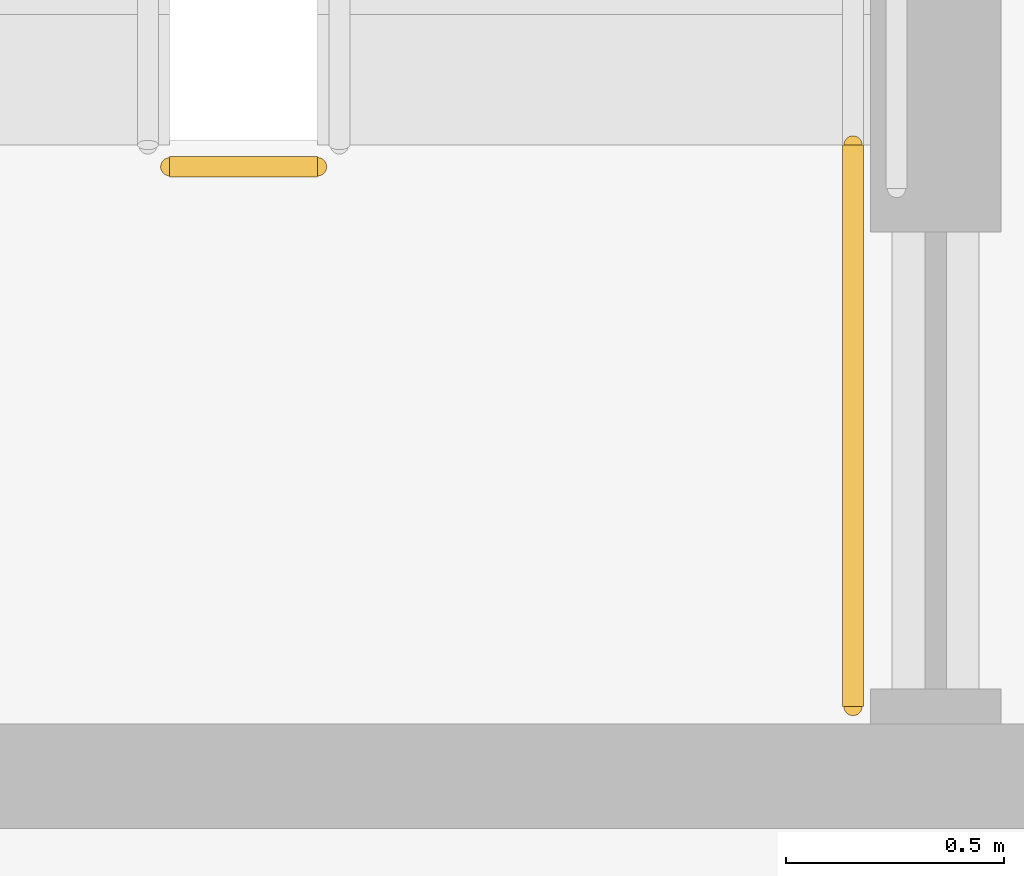
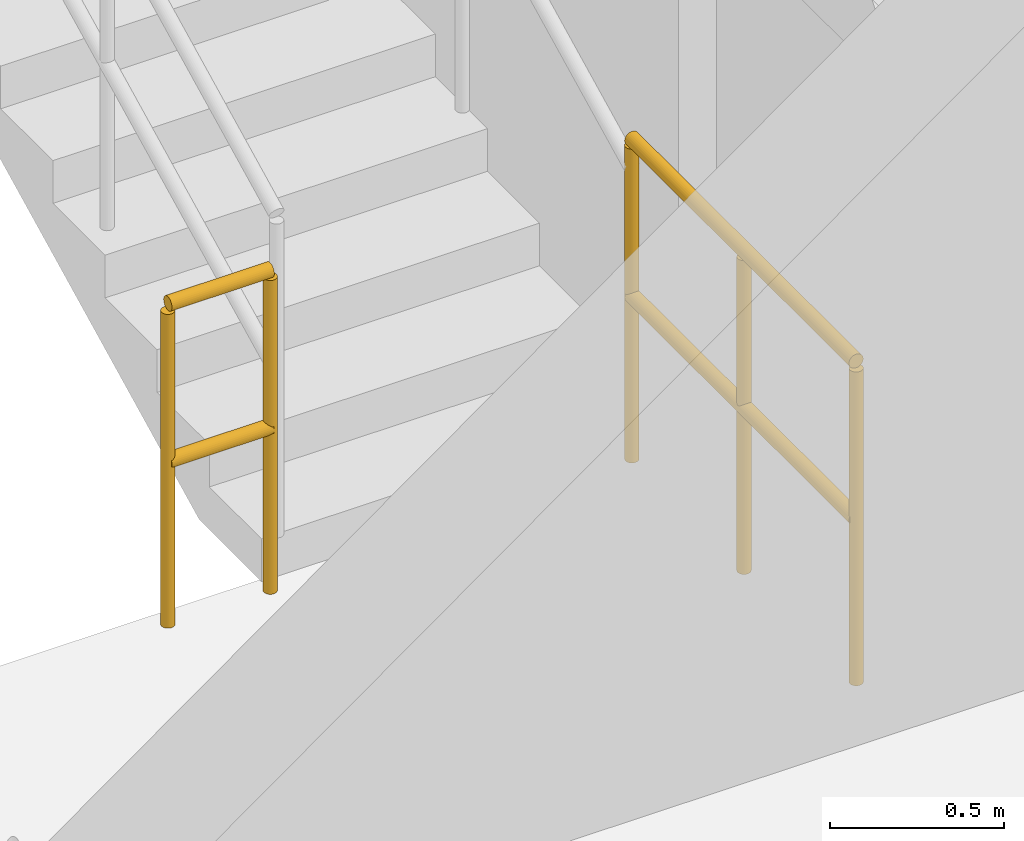
# One storey, part 74 of 78: 2 railings.
"""IFC4 building model written with IfcOpenShell, lengths in metres."""

from ifc_helpers import new_model, si_unit, direction, frame, origin, origin_2d, place, context, subcontext, project, spatial, circle, extrude, material, type_object, element, save


model = new_model("IFC4")

# Units and contexts
model_context = context("Model", 3, precision=1e-05, world=origin(), true_north=direction((0.0, 1.0)))
body_context = subcontext(model_context, "Body", "Model", "MODEL_VIEW")
ifc_project = project(units=[si_unit("LENGTHUNIT", "METRE"), si_unit("AREAUNIT", "SQUARE_METRE"), si_unit("VOLUMEUNIT", "CUBIC_METRE"), si_unit("PLANEANGLEUNIT", "RADIAN"), si_unit("MASSUNIT", "GRAM", prefix="KILO")], contexts=[model_context])

# Site, building, storey
site_placement = place(None, origin())
site = spatial("IfcSite", under=ifc_project, at=site_placement, CompositionType="ELEMENT")
building_placement = place(site_placement, origin())
building = spatial("IfcBuilding", under=site, at=building_placement, Name="Haebicheon Civic Stadium", CompositionType="ELEMENT")
storey_placement = place(building_placement, frame((0.0, 0.0, 18.60009765625)))
storey = spatial("IfcBuildingStorey", under=building, at=storey_placement, Name="L05", CompositionType="ELEMENT", Elevation=18.60009765625)

# Railings
ifc_material = material(Name="Galvanised painted steel SM355", Category="steel")
railing_type = type_object("IfcRailingType", Name="RL-GRD-1150", PredefinedType="GUARDRAIL", material=ifc_material)
railing_1_placement = place(storey_placement, frame((146.4599609375, 65.39990234375, 0.0)))
element("IfcRailing", 1, at=railing_1_placement, inside=storey, type_object=railing_type, material=ifc_material, Name="L05 ST-10 stair guard 7", PredefinedType="GUARDRAIL", context=body_context, shape_type="SweptSolid", body=[
    extrude(circle(Radius=0.02392578125, at=origin_2d()), frame((0.0, 0.0, 1.1259765625), z_axis=(-1.0, 0.0, 0.0), x_axis=(0.0, -1.0, 0.0)), (0.0, 0.0, 1.0), 0.33984375),
    extrude(circle(Radius=0.02392578125, at=origin_2d()), frame((0.0, 0.0, 0.574951171875), z_axis=(-1.0, 0.0, 0.0), x_axis=(0.0, -1.0, 0.0)), (0.0, 0.0, 1.0), 0.33984375),
    extrude(circle(Radius=0.02099609375, at=origin_2d()), origin(), (0.0, 0.0, 1.0), 1.101806640625),
    extrude(circle(Radius=0.02099609375, at=origin_2d()), frame((-0.33984375, 0.0, 0.0)), (0.0, 0.0, 1.0), 1.101806640625),
])
railing_2_placement = place(storey_placement, frame((147.68994140625, 64.159912109375, 0.0)))
element("IfcRailing", 2, at=railing_2_placement, inside=storey, type_object=railing_type, material=ifc_material, Name="L05 ST-10 stair guard 8", PredefinedType="GUARDRAIL", context=body_context, shape_type="SweptSolid", body=[
    extrude(circle(Radius=0.02392578125, at=origin_2d()), frame((0.0, 0.0, 1.1259765625), z_axis=(0.0, 1.0, 0.0), x_axis=(-1.0, 0.0, 0.0)), (0.0, 0.0, 1.0), 1.2900390625),
    extrude(circle(Radius=0.02392578125, at=origin_2d()), frame((0.0, 0.0, 0.574951171875), z_axis=(0.0, 1.0, 0.0), x_axis=(-1.0, 0.0, 0.0)), (0.0, 0.0, 1.0), 1.2900390625),
    extrude(circle(Radius=0.02099609375, at=origin_2d()), origin(), (0.0, 0.0, 1.0), 1.101806640625),
    extrude(circle(Radius=0.02099609375, at=origin_2d()), frame((0.0, 0.64501953125, 0.0)), (0.0, 0.0, 1.0), 1.101806640625),
    extrude(circle(Radius=0.02099609375, at=origin_2d()), frame((0.0, 1.2900390625, 0.0)), (0.0, 0.0, 1.0), 1.101806640625),
])

save(model, "model.ifc")
